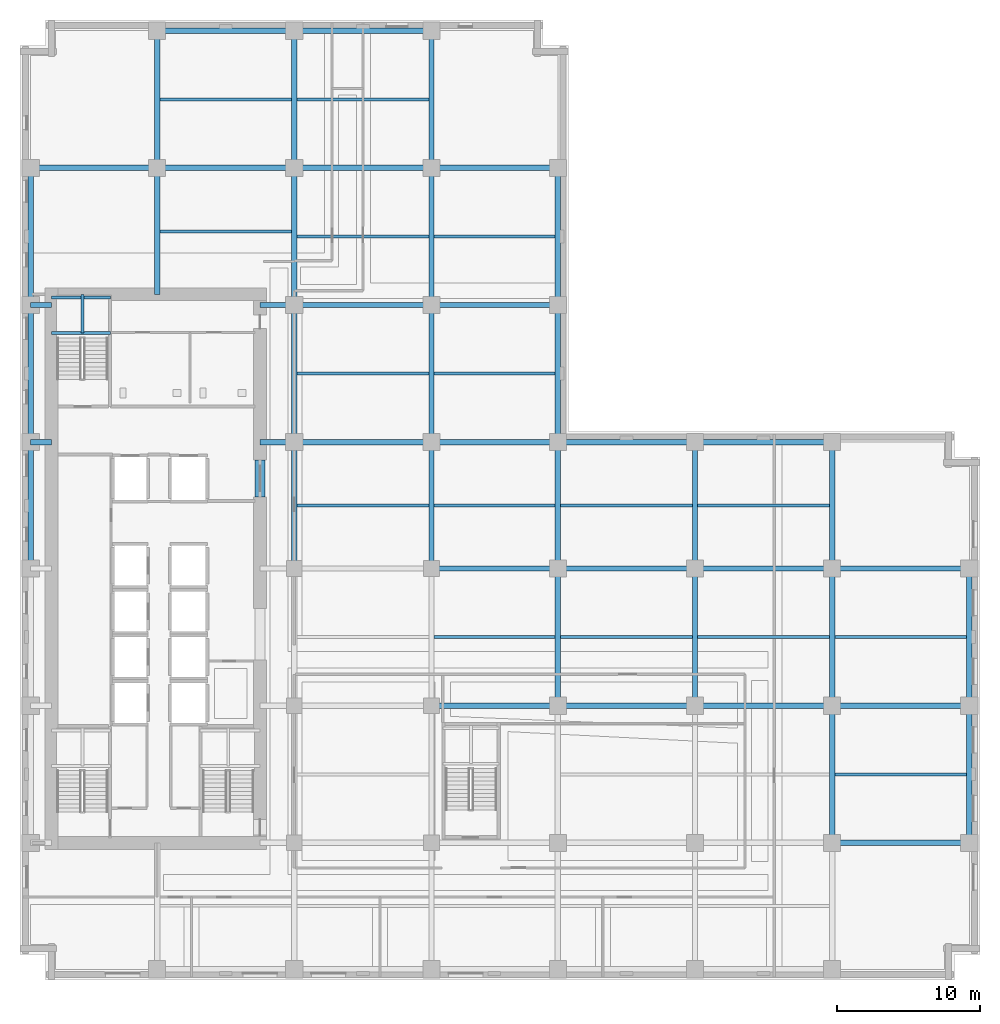
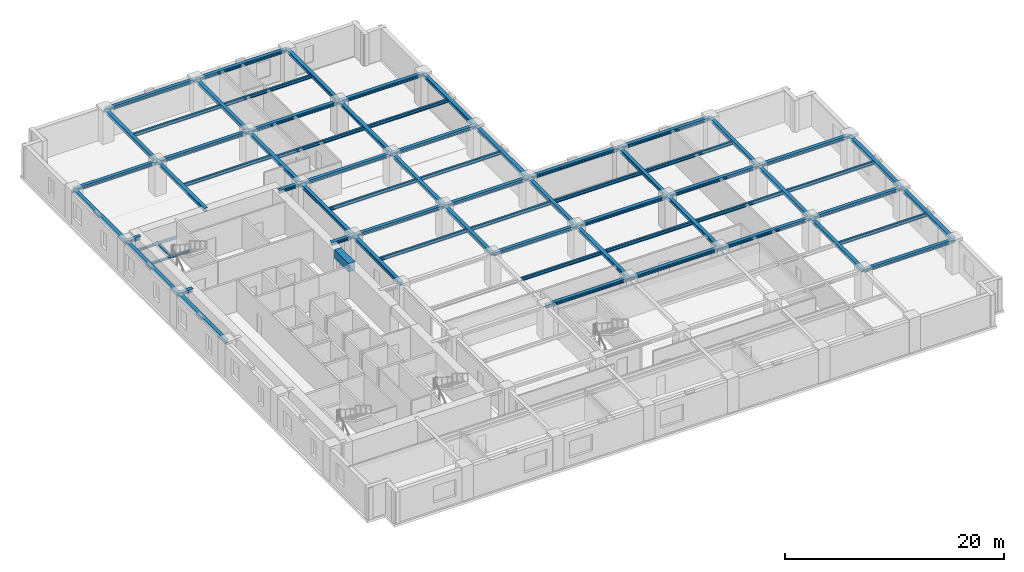
# One storey, part 2 of 13: 69 beams.
"""IFC4 building model written with IfcOpenShell, lengths in metres."""

from ifc_helpers import new_model, si_unit, direction, frame, origin, origin_2d, place, context, subcontext, project, spatial, rectangle, i_section, extrude, material, material_profile, profile_set, type_object, element, save


model = new_model("IFC4")

# Units and contexts
model_context = context("Model", 3, precision=1e-05, world=origin(), true_north=direction((0.0, 1.0)))
body_context = subcontext(model_context, "Body", "Model", "MODEL_VIEW")
ifc_project = project(units=[si_unit("LENGTHUNIT", "METRE"), si_unit("AREAUNIT", "SQUARE_METRE"), si_unit("VOLUMEUNIT", "CUBIC_METRE"), si_unit("PLANEANGLEUNIT", "RADIAN"), si_unit("MASSUNIT", "GRAM", prefix="KILO")], contexts=[model_context])

# Site, building, storey
site_placement = place(None, origin())
site = spatial("IfcSite", under=ifc_project, at=site_placement, CompositionType="ELEMENT")
building_placement = place(site_placement, origin())
building = spatial("IfcBuilding", under=site, at=building_placement, Name="Norrvale University Quadrangle", CompositionType="ELEMENT")
storey_placement = place(building_placement, frame((0.0, 0.0, 43.199951171875)))
storey = spatial("IfcBuildingStorey", under=building, at=storey_placement, Name="L10", CompositionType="ELEMENT", Elevation=43.199951171875)

# Beams
ifc_material_1 = material(Name="Concrete C80/95", Category="concrete")
ifc_material_profile_1 = material_profile(ifc_material_1, rectangle(XDim=0.699951171875, YDim=0.949951171875, at=origin_2d()), Name="Concrete C80/95")
ifc_profile_set_1 = profile_set([ifc_material_profile_1], Name="Concrete C80/95")
beam_type_1 = type_object("IfcBeamType", Name="Beam Core Link 700x950", PredefinedType="LINTEL", material=ifc_profile_set_1)
beam_1_placement = place(storey_placement, frame((16.800048828125, 33.800048828125, 3.06494140625), z_axis=(0.0, 1.0, 0.0), x_axis=(-1.0, 0.0, 0.0)))
element("IfcBeam", 1, at=beam_1_placement, inside=storey, type_object=beam_type_1, Name="Core Coupling Lintel Beam L10-2", PredefinedType="LINTEL", context=body_context, shape_type="SweptSolid", body=[
    extrude(rectangle(XDim=0.699951171875, YDim=0.949951171875, at=origin_2d()), origin(), (0.0, 0.0, 1.0), 2.599853515625),
])
ifc_material_2 = material(Name="Steel 350W", Category="steel")
ifc_material_profile_2 = material_profile(ifc_material_2, i_section(OverallWidth=0.368896484375, OverallDepth=0.35595703125, WebThickness=0.01123046875, FlangeThickness=0.01806640625, FilletRadius=0.014892578125, at=origin_2d()), Name="Steel 350W")
ifc_profile_set_2 = profile_set([ifc_material_profile_2], Name="Steel 350W")
beam_type_2 = type_object("IfcBeamType", Name="Beam Crown W360x134", PredefinedType="BEAM", material=ifc_profile_set_2)
beam_2_placement = place(storey_placement, frame((56.85009765625, 9.60009765625, 3.362060546875), z_axis=(1.0, 0.0, 0.0), x_axis=(0.0, 1.0, 0.0)))
element("IfcBeam", 2, at=beam_2_placement, inside=storey, type_object=beam_type_2, Name="Beam Crown W360x134 BM-L10-GX010", PredefinedType="BEAM", context=body_context, shape_type="SweptSolid", body=[
    extrude(i_section(OverallWidth=0.368896484375, OverallDepth=0.35595703125, WebThickness=0.01123046875, FlangeThickness=0.01806640625, FilletRadius=0.014892578125, at=origin_2d()), origin(), (0.0, 0.0, 1.0), 9.599853515625),
])
beam_3_placement = place(storey_placement, frame((28.800048828125, 19.199951171875, 3.362060546875), z_axis=(1.0, 0.0, 0.0), x_axis=(0.0, 1.0, 0.0)))
element("IfcBeam", 3, at=beam_3_placement, inside=storey, type_object=beam_type_2, Name="Beam Crown W360x134 BM-L10-GX012", PredefinedType="BEAM", context=body_context, shape_type="SweptSolid", body=[
    extrude(i_section(OverallWidth=0.368896484375, OverallDepth=0.35595703125, WebThickness=0.01123046875, FlangeThickness=0.01806640625, FilletRadius=0.014892578125, at=origin_2d()), origin(), (0.0, 0.0, 1.0), 8.849853515625),
])
for number, where, z_axis, x_axis, name in (
    (4, (37.64990234375, 19.199951171875, 3.362060546875), (1.0, 0.0, 0.0), (0.0, 1.0, 0.0), "Beam Crown W360x134 BM-L10-GX013"),
    (5, (47.25, 19.199951171875, 3.362060546875), (1.0, 0.0, 0.0), (0.0, 1.0, 0.0), "Beam Crown W360x134 BM-L10-GX014"),
):
    element("IfcBeam", number, at=place(storey_placement, frame(where, z_axis=z_axis, x_axis=x_axis)), inside=storey, type_object=beam_type_2, Name=name, PredefinedType="BEAM", context=body_context, shape_type="SweptSolid", body=[
        extrude(i_section(OverallWidth=0.368896484375, OverallDepth=0.35595703125, WebThickness=0.01123046875, FlangeThickness=0.01806640625, FilletRadius=0.014892578125, at=origin_2d()), origin(), (0.0, 0.0, 1.0), 9.60009765625),
    ])
beam_4_placement = place(storey_placement, frame((56.85009765625, 19.199951171875, 3.362060546875), z_axis=(1.0, 0.0, 0.0), x_axis=(0.0, 1.0, 0.0)))
element("IfcBeam", 6, at=beam_4_placement, inside=storey, type_object=beam_type_2, Name="Beam Crown W360x134 BM-L10-GX015", PredefinedType="BEAM", context=body_context, shape_type="SweptSolid", body=[
    extrude(i_section(OverallWidth=0.368896484375, OverallDepth=0.35595703125, WebThickness=0.01123046875, FlangeThickness=0.01806640625, FilletRadius=0.014892578125, at=origin_2d()), origin(), (0.0, 0.0, 1.0), 9.599853515625),
])
beam_5_placement = place(storey_placement, frame((28.800048828125, 28.800048828125, 3.362060546875), z_axis=(1.0, 0.0, 0.0), x_axis=(0.0, 1.0, 0.0)))
element("IfcBeam", 7, at=beam_5_placement, inside=storey, type_object=beam_type_2, Name="Beam Crown W360x134 BM-L10-GX017", PredefinedType="BEAM", context=body_context, shape_type="SweptSolid", body=[
    extrude(i_section(OverallWidth=0.368896484375, OverallDepth=0.35595703125, WebThickness=0.01123046875, FlangeThickness=0.01806640625, FilletRadius=0.014892578125, at=origin_2d()), origin(), (0.0, 0.0, 1.0), 8.849853515625),
])
for number, where, z_axis, x_axis, name in (
    (8, (37.64990234375, 28.800048828125, 3.362060546875), (1.0, 0.0, 0.0), (0.0, 1.0, 0.0), "Beam Crown W360x134 BM-L10-GX018"),
    (9, (47.25, 28.800048828125, 3.362060546875), (1.0, 0.0, 0.0), (0.0, 1.0, 0.0), "Beam Crown W360x134 BM-L10-GX019"),
):
    element("IfcBeam", number, at=place(storey_placement, frame(where, z_axis=z_axis, x_axis=x_axis)), inside=storey, type_object=beam_type_2, Name=name, PredefinedType="BEAM", context=body_context, shape_type="SweptSolid", body=[
        extrude(i_section(OverallWidth=0.368896484375, OverallDepth=0.35595703125, WebThickness=0.01123046875, FlangeThickness=0.01806640625, FilletRadius=0.014892578125, at=origin_2d()), origin(), (0.0, 0.0, 1.0), 9.60009765625),
    ])
beam_6_placement = place(storey_placement, frame((56.85009765625, 28.800048828125, 3.362060546875), z_axis=(1.0, 0.0, 0.0), x_axis=(0.0, 1.0, 0.0)))
element("IfcBeam", 10, at=beam_6_placement, inside=storey, type_object=beam_type_2, Name="Beam Crown W360x134 BM-L10-GX020", PredefinedType="BEAM", context=body_context, shape_type="SweptSolid", body=[
    extrude(i_section(OverallWidth=0.368896484375, OverallDepth=0.35595703125, WebThickness=0.01123046875, FlangeThickness=0.01806640625, FilletRadius=0.014892578125, at=origin_2d()), origin(), (0.0, 0.0, 1.0), 9.599853515625),
])
beam_7_placement = place(storey_placement, frame((19.199951171875, 37.64990234375, 3.362060546875), z_axis=(1.0, 0.0, 0.0), x_axis=(0.0, 1.0, 0.0)))
element("IfcBeam", 11, at=beam_7_placement, inside=storey, type_object=beam_type_2, Name="Beam Crown W360x134 BM-L10-GX021", PredefinedType="BEAM", context=body_context, shape_type="SweptSolid", body=[
    extrude(i_section(OverallWidth=0.368896484375, OverallDepth=0.35595703125, WebThickness=0.01123046875, FlangeThickness=0.01806640625, FilletRadius=0.014892578125, at=origin_2d()), origin(), (0.0, 0.0, 1.0), 9.60009765625),
])
beam_8_placement = place(storey_placement, frame((28.800048828125, 37.64990234375, 3.362060546875), z_axis=(1.0, 0.0, 0.0), x_axis=(0.0, 1.0, 0.0)))
element("IfcBeam", 12, at=beam_8_placement, inside=storey, type_object=beam_type_2, Name="Beam Crown W360x134 BM-L10-GX022", PredefinedType="BEAM", context=body_context, shape_type="SweptSolid", body=[
    extrude(i_section(OverallWidth=0.368896484375, OverallDepth=0.35595703125, WebThickness=0.01123046875, FlangeThickness=0.01806640625, FilletRadius=0.014892578125, at=origin_2d()), origin(), (0.0, 0.0, 1.0), 8.849853515625),
])
for number, where, z_axis, x_axis, name in (
    (13, (37.64990234375, 37.64990234375, 3.362060546875), (1.0, 0.0, 0.0), (0.0, 1.0, 0.0), "Beam Crown W360x134 BM-L10-GX023"),
    (14, (47.25, 37.64990234375, 3.362060546875), (1.0, 0.0, 0.0), (0.0, 1.0, 0.0), "Beam Crown W360x134 BM-L10-GX024"),
    (15, (19.199951171875, 47.25, 3.362060546875), (1.0, 0.0, 0.0), (0.0, 1.0, 0.0), "Beam Crown W360x134 BM-L10-GX025"),
):
    element("IfcBeam", number, at=place(storey_placement, frame(where, z_axis=z_axis, x_axis=x_axis)), inside=storey, type_object=beam_type_2, Name=name, PredefinedType="BEAM", context=body_context, shape_type="SweptSolid", body=[
        extrude(i_section(OverallWidth=0.368896484375, OverallDepth=0.35595703125, WebThickness=0.01123046875, FlangeThickness=0.01806640625, FilletRadius=0.014892578125, at=origin_2d()), origin(), (0.0, 0.0, 1.0), 9.60009765625),
    ])
beam_9_placement = place(storey_placement, frame((28.800048828125, 47.25, 3.362060546875), z_axis=(1.0, 0.0, 0.0), x_axis=(0.0, 1.0, 0.0)))
element("IfcBeam", 16, at=beam_9_placement, inside=storey, type_object=beam_type_2, Name="Beam Crown W360x134 BM-L10-GX026", PredefinedType="BEAM", context=body_context, shape_type="SweptSolid", body=[
    extrude(i_section(OverallWidth=0.368896484375, OverallDepth=0.35595703125, WebThickness=0.01123046875, FlangeThickness=0.01806640625, FilletRadius=0.014892578125, at=origin_2d()), origin(), (0.0, 0.0, 1.0), 8.849853515625),
])
beam_10_placement = place(storey_placement, frame((0.75, 56.85009765625, 3.362060546875), z_axis=(1.0, 0.0, 0.0), x_axis=(0.0, 1.0, 0.0)))
element("IfcBeam", 17, at=beam_10_placement, inside=storey, type_object=beam_type_2, Name="Beam Crown W360x134 BM-L10-GX027", PredefinedType="BEAM", context=body_context, shape_type="SweptSolid", body=[
    extrude(i_section(OverallWidth=0.368896484375, OverallDepth=0.35595703125, WebThickness=0.01123046875, FlangeThickness=0.01806640625, FilletRadius=0.014892578125, at=origin_2d()), origin(), (0.0, 0.0, 1.0), 8.85009765625),
])
beam_11_placement = place(storey_placement, frame((9.60009765625, 56.85009765625, 3.362060546875), z_axis=(1.0, 0.0, 0.0), x_axis=(0.0, 1.0, 0.0)))
element("IfcBeam", 18, at=beam_11_placement, inside=storey, type_object=beam_type_2, Name="Beam Crown W360x134 BM-L10-GX028", PredefinedType="BEAM", context=body_context, shape_type="SweptSolid", body=[
    extrude(i_section(OverallWidth=0.368896484375, OverallDepth=0.35595703125, WebThickness=0.01123046875, FlangeThickness=0.01806640625, FilletRadius=0.014892578125, at=origin_2d()), origin(), (0.0, 0.0, 1.0), 9.599853515625),
])
beam_12_placement = place(storey_placement, frame((19.199951171875, 56.85009765625, 3.362060546875), z_axis=(1.0, 0.0, 0.0), x_axis=(0.0, 1.0, 0.0)))
element("IfcBeam", 19, at=beam_12_placement, inside=storey, type_object=beam_type_2, Name="Beam Crown W360x134 BM-L10-GX029", PredefinedType="BEAM", context=body_context, shape_type="SweptSolid", body=[
    extrude(i_section(OverallWidth=0.368896484375, OverallDepth=0.35595703125, WebThickness=0.01123046875, FlangeThickness=0.01806640625, FilletRadius=0.014892578125, at=origin_2d()), origin(), (0.0, 0.0, 1.0), 9.60009765625),
])
beam_13_placement = place(storey_placement, frame((28.800048828125, 56.85009765625, 3.362060546875), z_axis=(1.0, 0.0, 0.0), x_axis=(0.0, 1.0, 0.0)))
element("IfcBeam", 20, at=beam_13_placement, inside=storey, type_object=beam_type_2, Name="Beam Crown W360x134 BM-L10-GX030", PredefinedType="BEAM", context=body_context, shape_type="SweptSolid", body=[
    extrude(i_section(OverallWidth=0.368896484375, OverallDepth=0.35595703125, WebThickness=0.01123046875, FlangeThickness=0.01806640625, FilletRadius=0.014892578125, at=origin_2d()), origin(), (0.0, 0.0, 1.0), 8.849853515625),
])
beam_14_placement = place(storey_placement, frame((9.60009765625, 66.449951171875, 3.362060546875), z_axis=(1.0, 0.0, 0.0), x_axis=(0.0, 1.0, 0.0)))
element("IfcBeam", 21, at=beam_14_placement, inside=storey, type_object=beam_type_2, Name="Beam Crown W360x134 BM-L10-GX031", PredefinedType="BEAM", context=body_context, shape_type="SweptSolid", body=[
    extrude(i_section(OverallWidth=0.368896484375, OverallDepth=0.35595703125, WebThickness=0.01123046875, FlangeThickness=0.01806640625, FilletRadius=0.014892578125, at=origin_2d()), origin(), (0.0, 0.0, 1.0), 9.599853515625),
])
beam_15_placement = place(storey_placement, frame((19.199951171875, 66.449951171875, 3.362060546875), z_axis=(1.0, 0.0, 0.0), x_axis=(0.0, 1.0, 0.0)))
element("IfcBeam", 22, at=beam_15_placement, inside=storey, type_object=beam_type_2, Name="Beam Crown W360x134 BM-L10-GX032", PredefinedType="BEAM", context=body_context, shape_type="SweptSolid", body=[
    extrude(i_section(OverallWidth=0.368896484375, OverallDepth=0.35595703125, WebThickness=0.01123046875, FlangeThickness=0.01806640625, FilletRadius=0.014892578125, at=origin_2d()), origin(), (0.0, 0.0, 1.0), 9.60009765625),
])
beam_16_placement = place(storey_placement, frame((0.75, 28.800048828125, 3.362060546875), z_axis=(0.0, 1.0, 0.0), x_axis=(-1.0, 0.0, 0.0)))
element("IfcBeam", 23, at=beam_16_placement, inside=storey, type_object=beam_type_2, Name="Beam Crown W360x134 BM-L10-GY035", PredefinedType="BEAM", context=body_context, shape_type="SweptSolid", body=[
    extrude(i_section(OverallWidth=0.368896484375, OverallDepth=0.35595703125, WebThickness=0.01123046875, FlangeThickness=0.01806640625, FilletRadius=0.014892578125, at=origin_2d()), origin(), (0.0, 0.0, 1.0), 8.849853515625),
])
for number, where, z_axis, x_axis, name in (
    (24, (0.75, 37.64990234375, 3.362060546875), (0.0, 1.0, 0.0), (-1.0, 0.0, 0.0), "Beam Crown W360x134 BM-L10-GY036"),
    (25, (0.75, 47.25, 3.362060546875), (0.0, 1.0, 0.0), (-1.0, 0.0, 0.0), "Beam Crown W360x134 BM-L10-GY037"),
):
    element("IfcBeam", number, at=place(storey_placement, frame(where, z_axis=z_axis, x_axis=x_axis)), inside=storey, type_object=beam_type_2, Name=name, PredefinedType="BEAM", context=body_context, shape_type="SweptSolid", body=[
        extrude(i_section(OverallWidth=0.368896484375, OverallDepth=0.35595703125, WebThickness=0.01123046875, FlangeThickness=0.01806640625, FilletRadius=0.014892578125, at=origin_2d()), origin(), (0.0, 0.0, 1.0), 9.60009765625),
    ])
beam_17_placement = place(storey_placement, frame((9.60009765625, 56.85009765625, 3.362060546875), z_axis=(0.0, 1.0, 0.0), x_axis=(-1.0, 0.0, 0.0)))
element("IfcBeam", 26, at=beam_17_placement, inside=storey, type_object=beam_type_2, Name="Beam Crown W360x134 BM-L10-GY038", PredefinedType="BEAM", context=body_context, shape_type="SweptSolid", body=[
    extrude(i_section(OverallWidth=0.368896484375, OverallDepth=0.35595703125, WebThickness=0.01123046875, FlangeThickness=0.01806640625, FilletRadius=0.014892578125, at=origin_2d()), origin(), (0.0, 0.0, 1.0), 9.599853515625),
])
beam_18_placement = place(storey_placement, frame((19.199951171875, 28.800048828125, 3.362060546875), z_axis=(0.0, 1.0, 0.0), x_axis=(-1.0, 0.0, 0.0)))
element("IfcBeam", 27, at=beam_18_placement, inside=storey, type_object=beam_type_2, Name="Beam Crown W360x134 BM-L10-GY042", PredefinedType="BEAM", context=body_context, shape_type="SweptSolid", body=[
    extrude(i_section(OverallWidth=0.368896484375, OverallDepth=0.35595703125, WebThickness=0.01123046875, FlangeThickness=0.01806640625, FilletRadius=0.014892578125, at=origin_2d()), origin(), (0.0, 0.0, 1.0), 8.849853515625),
])
for number, where, z_axis, x_axis, name in (
    (28, (19.199951171875, 37.64990234375, 3.362060546875), (0.0, 1.0, 0.0), (-1.0, 0.0, 0.0), "Beam Crown W360x134 BM-L10-GY043"),
    (29, (19.199951171875, 47.25, 3.362060546875), (0.0, 1.0, 0.0), (-1.0, 0.0, 0.0), "Beam Crown W360x134 BM-L10-GY044"),
):
    element("IfcBeam", number, at=place(storey_placement, frame(where, z_axis=z_axis, x_axis=x_axis)), inside=storey, type_object=beam_type_2, Name=name, PredefinedType="BEAM", context=body_context, shape_type="SweptSolid", body=[
        extrude(i_section(OverallWidth=0.368896484375, OverallDepth=0.35595703125, WebThickness=0.01123046875, FlangeThickness=0.01806640625, FilletRadius=0.014892578125, at=origin_2d()), origin(), (0.0, 0.0, 1.0), 9.60009765625),
    ])
beam_19_placement = place(storey_placement, frame((19.199951171875, 56.85009765625, 3.362060546875), z_axis=(0.0, 1.0, 0.0), x_axis=(-1.0, 0.0, 0.0)))
element("IfcBeam", 30, at=beam_19_placement, inside=storey, type_object=beam_type_2, Name="Beam Crown W360x134 BM-L10-GY045", PredefinedType="BEAM", context=body_context, shape_type="SweptSolid", body=[
    extrude(i_section(OverallWidth=0.368896484375, OverallDepth=0.35595703125, WebThickness=0.01123046875, FlangeThickness=0.01806640625, FilletRadius=0.014892578125, at=origin_2d()), origin(), (0.0, 0.0, 1.0), 9.599853515625),
])
beam_20_placement = place(storey_placement, frame((28.800048828125, 28.800048828125, 3.362060546875), z_axis=(0.0, 1.0, 0.0), x_axis=(-1.0, 0.0, 0.0)))
element("IfcBeam", 31, at=beam_20_placement, inside=storey, type_object=beam_type_2, Name="Beam Crown W360x134 BM-L10-GY049", PredefinedType="BEAM", context=body_context, shape_type="SweptSolid", body=[
    extrude(i_section(OverallWidth=0.368896484375, OverallDepth=0.35595703125, WebThickness=0.01123046875, FlangeThickness=0.01806640625, FilletRadius=0.014892578125, at=origin_2d()), origin(), (0.0, 0.0, 1.0), 8.849853515625),
])
for number, where, z_axis, x_axis, name in (
    (32, (28.800048828125, 37.64990234375, 3.362060546875), (0.0, 1.0, 0.0), (-1.0, 0.0, 0.0), "Beam Crown W360x134 BM-L10-GY050"),
    (33, (28.800048828125, 47.25, 3.362060546875), (0.0, 1.0, 0.0), (-1.0, 0.0, 0.0), "Beam Crown W360x134 BM-L10-GY051"),
):
    element("IfcBeam", number, at=place(storey_placement, frame(where, z_axis=z_axis, x_axis=x_axis)), inside=storey, type_object=beam_type_2, Name=name, PredefinedType="BEAM", context=body_context, shape_type="SweptSolid", body=[
        extrude(i_section(OverallWidth=0.368896484375, OverallDepth=0.35595703125, WebThickness=0.01123046875, FlangeThickness=0.01806640625, FilletRadius=0.014892578125, at=origin_2d()), origin(), (0.0, 0.0, 1.0), 9.60009765625),
    ])
beam_21_placement = place(storey_placement, frame((28.800048828125, 56.85009765625, 3.362060546875), z_axis=(0.0, 1.0, 0.0), x_axis=(-1.0, 0.0, 0.0)))
element("IfcBeam", 34, at=beam_21_placement, inside=storey, type_object=beam_type_2, Name="Beam Crown W360x134 BM-L10-GY052", PredefinedType="BEAM", context=body_context, shape_type="SweptSolid", body=[
    extrude(i_section(OverallWidth=0.368896484375, OverallDepth=0.35595703125, WebThickness=0.01123046875, FlangeThickness=0.01806640625, FilletRadius=0.014892578125, at=origin_2d()), origin(), (0.0, 0.0, 1.0), 9.599853515625),
])
beam_22_placement = place(storey_placement, frame((37.64990234375, 19.199951171875, 3.362060546875), z_axis=(0.0, 1.0, 0.0), x_axis=(-1.0, 0.0, 0.0)))
element("IfcBeam", 35, at=beam_22_placement, inside=storey, type_object=beam_type_2, Name="Beam Crown W360x134 BM-L10-GY055", PredefinedType="BEAM", context=body_context, shape_type="SweptSolid", body=[
    extrude(i_section(OverallWidth=0.368896484375, OverallDepth=0.35595703125, WebThickness=0.01123046875, FlangeThickness=0.01806640625, FilletRadius=0.014892578125, at=origin_2d()), origin(), (0.0, 0.0, 1.0), 9.60009765625),
])
beam_23_placement = place(storey_placement, frame((37.64990234375, 28.800048828125, 3.362060546875), z_axis=(0.0, 1.0, 0.0), x_axis=(-1.0, 0.0, 0.0)))
element("IfcBeam", 36, at=beam_23_placement, inside=storey, type_object=beam_type_2, Name="Beam Crown W360x134 BM-L10-GY056", PredefinedType="BEAM", context=body_context, shape_type="SweptSolid", body=[
    extrude(i_section(OverallWidth=0.368896484375, OverallDepth=0.35595703125, WebThickness=0.01123046875, FlangeThickness=0.01806640625, FilletRadius=0.014892578125, at=origin_2d()), origin(), (0.0, 0.0, 1.0), 8.849853515625),
])
for number, where, z_axis, x_axis, name in (
    (37, (37.64990234375, 37.64990234375, 3.362060546875), (0.0, 1.0, 0.0), (-1.0, 0.0, 0.0), "Beam Crown W360x134 BM-L10-GY057"),
    (38, (37.64990234375, 47.25, 3.362060546875), (0.0, 1.0, 0.0), (-1.0, 0.0, 0.0), "Beam Crown W360x134 BM-L10-GY058"),
    (39, (47.25, 19.199951171875, 3.362060546875), (0.0, 1.0, 0.0), (-1.0, 0.0, 0.0), "Beam Crown W360x134 BM-L10-GY061"),
):
    element("IfcBeam", number, at=place(storey_placement, frame(where, z_axis=z_axis, x_axis=x_axis)), inside=storey, type_object=beam_type_2, Name=name, PredefinedType="BEAM", context=body_context, shape_type="SweptSolid", body=[
        extrude(i_section(OverallWidth=0.368896484375, OverallDepth=0.35595703125, WebThickness=0.01123046875, FlangeThickness=0.01806640625, FilletRadius=0.014892578125, at=origin_2d()), origin(), (0.0, 0.0, 1.0), 9.60009765625),
    ])
beam_24_placement = place(storey_placement, frame((47.25, 28.800048828125, 3.362060546875), z_axis=(0.0, 1.0, 0.0), x_axis=(-1.0, 0.0, 0.0)))
element("IfcBeam", 40, at=beam_24_placement, inside=storey, type_object=beam_type_2, Name="Beam Crown W360x134 BM-L10-GY062", PredefinedType="BEAM", context=body_context, shape_type="SweptSolid", body=[
    extrude(i_section(OverallWidth=0.368896484375, OverallDepth=0.35595703125, WebThickness=0.01123046875, FlangeThickness=0.01806640625, FilletRadius=0.014892578125, at=origin_2d()), origin(), (0.0, 0.0, 1.0), 8.849853515625),
])
beam_25_placement = place(storey_placement, frame((56.85009765625, 9.60009765625, 3.362060546875), z_axis=(0.0, 1.0, 0.0), x_axis=(-1.0, 0.0, 0.0)))
element("IfcBeam", 41, at=beam_25_placement, inside=storey, type_object=beam_type_2, Name="Beam Crown W360x134 BM-L10-GY064", PredefinedType="BEAM", context=body_context, shape_type="SweptSolid", body=[
    extrude(i_section(OverallWidth=0.368896484375, OverallDepth=0.35595703125, WebThickness=0.01123046875, FlangeThickness=0.01806640625, FilletRadius=0.014892578125, at=origin_2d()), origin(), (0.0, 0.0, 1.0), 9.599853515625),
])
beam_26_placement = place(storey_placement, frame((56.85009765625, 19.199951171875, 3.362060546875), z_axis=(0.0, 1.0, 0.0), x_axis=(-1.0, 0.0, 0.0)))
element("IfcBeam", 42, at=beam_26_placement, inside=storey, type_object=beam_type_2, Name="Beam Crown W360x134 BM-L10-GY065", PredefinedType="BEAM", context=body_context, shape_type="SweptSolid", body=[
    extrude(i_section(OverallWidth=0.368896484375, OverallDepth=0.35595703125, WebThickness=0.01123046875, FlangeThickness=0.01806640625, FilletRadius=0.014892578125, at=origin_2d()), origin(), (0.0, 0.0, 1.0), 9.60009765625),
])
beam_27_placement = place(storey_placement, frame((56.85009765625, 28.800048828125, 3.362060546875), z_axis=(0.0, 1.0, 0.0), x_axis=(-1.0, 0.0, 0.0)))
element("IfcBeam", 43, at=beam_27_placement, inside=storey, type_object=beam_type_2, Name="Beam Crown W360x134 BM-L10-GY066", PredefinedType="BEAM", context=body_context, shape_type="SweptSolid", body=[
    extrude(i_section(OverallWidth=0.368896484375, OverallDepth=0.35595703125, WebThickness=0.01123046875, FlangeThickness=0.01806640625, FilletRadius=0.014892578125, at=origin_2d()), origin(), (0.0, 0.0, 1.0), 8.849853515625),
])
beam_28_placement = place(storey_placement, frame((66.449951171875, 9.60009765625, 3.362060546875), z_axis=(0.0, 1.0, 0.0), x_axis=(-1.0, 0.0, 0.0)))
element("IfcBeam", 44, at=beam_28_placement, inside=storey, type_object=beam_type_2, Name="Beam Crown W360x134 BM-L10-GY067", PredefinedType="BEAM", context=body_context, shape_type="SweptSolid", body=[
    extrude(i_section(OverallWidth=0.368896484375, OverallDepth=0.35595703125, WebThickness=0.01123046875, FlangeThickness=0.01806640625, FilletRadius=0.014892578125, at=origin_2d()), origin(), (0.0, 0.0, 1.0), 9.599853515625),
])
beam_29_placement = place(storey_placement, frame((66.449951171875, 19.199951171875, 3.362060546875), z_axis=(0.0, 1.0, 0.0), x_axis=(-1.0, 0.0, 0.0)))
element("IfcBeam", 45, at=beam_29_placement, inside=storey, type_object=beam_type_2, Name="Beam Crown W360x134 BM-L10-GY068", PredefinedType="BEAM", context=body_context, shape_type="SweptSolid", body=[
    extrude(i_section(OverallWidth=0.368896484375, OverallDepth=0.35595703125, WebThickness=0.01123046875, FlangeThickness=0.01806640625, FilletRadius=0.014892578125, at=origin_2d()), origin(), (0.0, 0.0, 1.0), 9.60009765625),
])
beam_30_placement = place(storey_placement, frame((0.75, 37.64990234375, 3.362060546875), z_axis=(1.0, 0.0, 0.0), x_axis=(0.0, 1.0, 0.0)))
element("IfcBeam", 46, at=beam_30_placement, inside=storey, type_object=beam_type_2, Name="Beam Crown W360x134 BM-L10-GCW075", PredefinedType="BEAM", context=body_context, shape_type="SweptSolid", body=[
    extrude(i_section(OverallWidth=0.368896484375, OverallDepth=0.35595703125, WebThickness=0.01123046875, FlangeThickness=0.01806640625, FilletRadius=0.014892578125, at=origin_2d()), origin(), (0.0, 0.0, 1.0), 1.449951171875),
])
beam_31_placement = place(storey_placement, frame((16.800048828125, 37.64990234375, 3.362060546875), z_axis=(1.0, 0.0, 0.0), x_axis=(0.0, 1.0, 0.0)))
element("IfcBeam", 47, at=beam_31_placement, inside=storey, type_object=beam_type_2, Name="Beam Crown W360x134 BM-L10-GCE076", PredefinedType="BEAM", context=body_context, shape_type="SweptSolid", body=[
    extrude(i_section(OverallWidth=0.368896484375, OverallDepth=0.35595703125, WebThickness=0.01123046875, FlangeThickness=0.01806640625, FilletRadius=0.014892578125, at=origin_2d()), origin(), (0.0, 0.0, 1.0), 2.39990234375),
])
beam_32_placement = place(storey_placement, frame((0.75, 47.25, 3.362060546875), z_axis=(1.0, 0.0, 0.0), x_axis=(0.0, 1.0, 0.0)))
element("IfcBeam", 48, at=beam_32_placement, inside=storey, type_object=beam_type_2, Name="Beam Crown W360x134 BM-L10-GCW077", PredefinedType="BEAM", context=body_context, shape_type="SweptSolid", body=[
    extrude(i_section(OverallWidth=0.368896484375, OverallDepth=0.35595703125, WebThickness=0.01123046875, FlangeThickness=0.01806640625, FilletRadius=0.014892578125, at=origin_2d()), origin(), (0.0, 0.0, 1.0), 1.449951171875),
])
beam_33_placement = place(storey_placement, frame((16.800048828125, 47.25, 3.362060546875), z_axis=(1.0, 0.0, 0.0), x_axis=(0.0, 1.0, 0.0)))
element("IfcBeam", 49, at=beam_33_placement, inside=storey, type_object=beam_type_2, Name="Beam Crown W360x134 BM-L10-GCE078", PredefinedType="BEAM", context=body_context, shape_type="SweptSolid", body=[
    extrude(i_section(OverallWidth=0.368896484375, OverallDepth=0.35595703125, WebThickness=0.01123046875, FlangeThickness=0.01806640625, FilletRadius=0.014892578125, at=origin_2d()), origin(), (0.0, 0.0, 1.0), 2.39990234375),
])
beam_34_placement = place(storey_placement, frame((9.60009765625, 48.0, 3.362060546875), z_axis=(0.0, 1.0, 0.0), x_axis=(-1.0, 0.0, 0.0)))
element("IfcBeam", 50, at=beam_34_placement, inside=storey, type_object=beam_type_2, Name="Beam Crown W360x134 BM-L10-GCN104", PredefinedType="BEAM", context=body_context, shape_type="SweptSolid", body=[
    extrude(i_section(OverallWidth=0.368896484375, OverallDepth=0.35595703125, WebThickness=0.01123046875, FlangeThickness=0.01806640625, FilletRadius=0.014892578125, at=origin_2d()), origin(), (0.0, 0.0, 1.0), 8.85009765625),
])
ifc_material_profile_3 = material_profile(ifc_material_2, i_section(OverallWidth=0.205078125, OverallDepth=0.35400390625, WebThickness=0.009521484375, FlangeThickness=0.016845703125, FilletRadius=0.011962890625, at=origin_2d()), Name="Steel 350W")
ifc_profile_set_3 = profile_set([ifc_material_profile_3], Name="Steel 350W")
beam_type_3 = type_object("IfcBeamType", Name="Beam Crown W360x79", PredefinedType="BEAM", material=ifc_profile_set_3)
for number, where, z_axis, x_axis, name in (
    (51, (9.784423828125, 61.64990234375, 3.363037109375), (1.0, 0.0, 0.0), (0.0, 1.0, 0.0), "Beam Crown W360x79 BM-L10-J079"),
    (52, (19.384521484375, 33.22509765625, 3.363037109375), (1.0, 0.0, 0.0), (0.0, 1.0, 0.0), "Beam Crown W360x79 BM-L10-J083"),
    (53, (19.384521484375, 42.449951171875, 3.363037109375), (1.0, 0.0, 0.0), (0.0, 1.0, 0.0), "Beam Crown W360x79 BM-L10-J084"),
    (54, (19.384521484375, 52.050048828125, 3.363037109375), (1.0, 0.0, 0.0), (0.0, 1.0, 0.0), "Beam Crown W360x79 BM-L10-J085"),
    (55, (19.384521484375, 61.64990234375, 3.363037109375), (1.0, 0.0, 0.0), (0.0, 1.0, 0.0), "Beam Crown W360x79 BM-L10-J086"),
):
    element("IfcBeam", number, at=place(storey_placement, frame(where, z_axis=z_axis, x_axis=x_axis)), inside=storey, type_object=beam_type_3, Name=name, PredefinedType="BEAM", context=body_context, shape_type="SweptSolid", body=[
        extrude(i_section(OverallWidth=0.205078125, OverallDepth=0.35400390625, WebThickness=0.009521484375, FlangeThickness=0.016845703125, FilletRadius=0.011962890625, at=origin_2d()), origin(), (0.0, 0.0, 1.0), 9.23095703125),
    ])
for number, where, z_axis, x_axis, name in (
    (56, (28.984619140625, 24.0, 3.363037109375), (1.0, 0.0, 0.0), (0.0, 1.0, 0.0), "Beam Crown W360x79 BM-L10-J088"),
    (57, (28.984619140625, 33.22509765625, 3.363037109375), (1.0, 0.0, 0.0), (0.0, 1.0, 0.0), "Beam Crown W360x79 BM-L10-J089"),
    (58, (28.984619140625, 42.449951171875, 3.363037109375), (1.0, 0.0, 0.0), (0.0, 1.0, 0.0), "Beam Crown W360x79 BM-L10-J090"),
    (59, (28.984619140625, 52.050048828125, 3.363037109375), (1.0, 0.0, 0.0), (0.0, 1.0, 0.0), "Beam Crown W360x79 BM-L10-J091"),
):
    element("IfcBeam", number, at=place(storey_placement, frame(where, z_axis=z_axis, x_axis=x_axis)), inside=storey, type_object=beam_type_3, Name=name, PredefinedType="BEAM", context=body_context, shape_type="SweptSolid", body=[
        extrude(i_section(OverallWidth=0.205078125, OverallDepth=0.35400390625, WebThickness=0.009521484375, FlangeThickness=0.016845703125, FilletRadius=0.011962890625, at=origin_2d()), origin(), (0.0, 0.0, 1.0), 8.48095703125),
    ])
for number, where, z_axis, x_axis, name in (
    (60, (37.83447265625, 24.0, 3.363037109375), (1.0, 0.0, 0.0), (0.0, 1.0, 0.0), "Beam Crown W360x79 BM-L10-J094"),
    (61, (37.83447265625, 33.22509765625, 3.363037109375), (1.0, 0.0, 0.0), (0.0, 1.0, 0.0), "Beam Crown W360x79 BM-L10-J095"),
    (62, (47.4345703125, 24.0, 3.363037109375), (1.0, 0.0, 0.0), (0.0, 1.0, 0.0), "Beam Crown W360x79 BM-L10-J098"),
    (63, (47.4345703125, 33.22509765625, 3.363037109375), (1.0, 0.0, 0.0), (0.0, 1.0, 0.0), "Beam Crown W360x79 BM-L10-J099"),
    (64, (57.034423828125, 14.39990234375, 3.363037109375), (1.0, 0.0, 0.0), (0.0, 1.0, 0.0), "Beam Crown W360x79 BM-L10-J100"),
    (65, (57.034423828125, 24.0, 3.363037109375), (1.0, 0.0, 0.0), (0.0, 1.0, 0.0), "Beam Crown W360x79 BM-L10-J101"),
    (66, (9.784423828125, 52.39990234375, 3.363037109375), (1.0, 0.0, 0.0), (0.0, 1.0, 0.0), "Beam Crown W360x79 BM-L10-JCN105"),
):
    element("IfcBeam", number, at=place(storey_placement, frame(where, z_axis=z_axis, x_axis=x_axis)), inside=storey, type_object=beam_type_3, Name=name, PredefinedType="BEAM", context=body_context, shape_type="SweptSolid", body=[
        extrude(i_section(OverallWidth=0.205078125, OverallDepth=0.35400390625, WebThickness=0.009521484375, FlangeThickness=0.016845703125, FilletRadius=0.011962890625, at=origin_2d()), origin(), (0.0, 0.0, 1.0), 9.23095703125),
    ])
ifc_material_profile_4 = material_profile(ifc_material_2, i_section(OverallWidth=0.201904296875, OverallDepth=0.2470703125, WebThickness=0.00732421875, FlangeThickness=0.010986328125, FilletRadius=0.011962890625, at=origin_2d()), Name="Steel 350W")
ifc_profile_set_4 = profile_set([ifc_material_profile_4], Name="Steel 350W")
beam_type_4 = type_object("IfcBeamType", Name="Beam Stair W250x49", PredefinedType="BEAM", material=ifc_profile_set_4)
for number, where, z_axis, x_axis, name in (
    (67, (2.199951171875, 45.2900390625, 1.57666015625), (1.0, 0.0, 0.0), (0.0, 1.0, 0.0), "Stair Mid-Landing Front Beam ST-02 L10"),
    (68, (2.199951171875, 47.77001953125, 1.57666015625), (1.0, 0.0, 0.0), (0.0, 1.0, 0.0), "Stair Mid-Landing Rear Beam ST-02 L10"),
):
    element("IfcBeam", number, at=place(storey_placement, frame(where, z_axis=z_axis, x_axis=x_axis)), inside=storey, type_object=beam_type_4, Name=name, PredefinedType="BEAM", context=body_context, shape_type="SweptSolid", body=[
        extrude(i_section(OverallWidth=0.201904296875, OverallDepth=0.2470703125, WebThickness=0.00732421875, FlangeThickness=0.010986328125, FilletRadius=0.011962890625, at=origin_2d()), origin(), (0.0, 0.0, 1.0), 4.14013671875),
    ])
ifc_material_profile_5 = material_profile(ifc_material_2, i_section(OverallWidth=0.202880859375, OverallDepth=0.202880859375, WebThickness=0.007080078125, FlangeThickness=0.010986328125, FilletRadius=0.010009765625, at=origin_2d()), Name="Steel 350W")
ifc_profile_set_5 = profile_set([ifc_material_profile_5], Name="Steel 350W")
beam_type_5 = type_object("IfcBeamType", Name="Beam Trim W200x46", PredefinedType="BEAM", material=ifc_profile_set_5)
beam_35_placement = place(storey_placement, frame((4.375, 45.2900390625, 1.5986328125), z_axis=(0.0, 1.0, 0.0), x_axis=(-1.0, 0.0, 0.0)))
element("IfcBeam", 69, at=beam_35_placement, inside=storey, type_object=beam_type_5, Name="Stair Mid-Landing Cross Beam ST-02 L10", PredefinedType="BEAM", context=body_context, shape_type="SweptSolid", body=[
    extrude(i_section(OverallWidth=0.202880859375, OverallDepth=0.202880859375, WebThickness=0.007080078125, FlangeThickness=0.010986328125, FilletRadius=0.010009765625, at=origin_2d()), origin(), (0.0, 0.0, 1.0), 2.7099609375),
])

save(model, "model.ifc")
